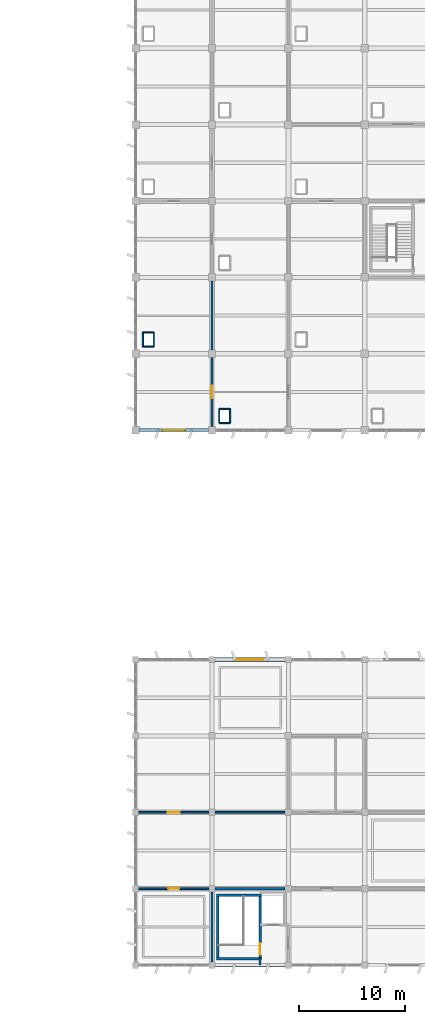
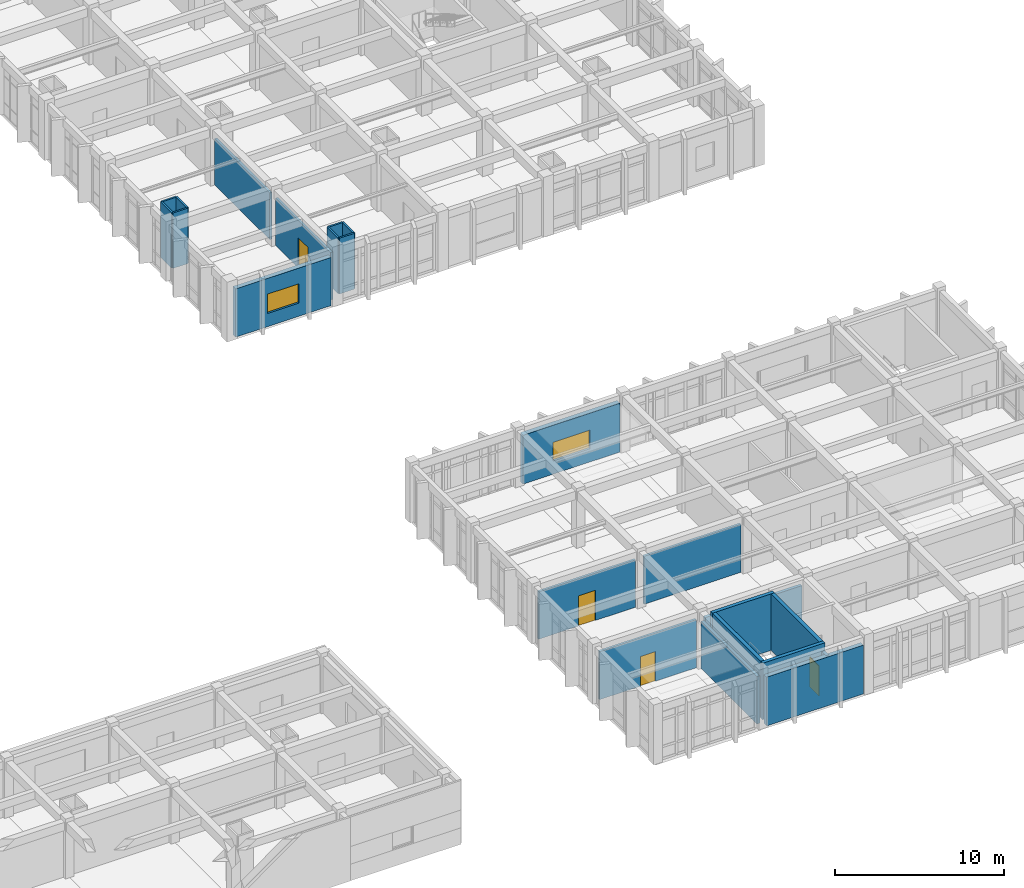
# One storey, part 53 of 70: 23 walls, 4 doors, 2 windows, 6 openings.
"""IFC4 building model written with IfcOpenShell, lengths in metres."""

from ifc_helpers import new_model, si_unit, direction, frame, frame_2d, origin, place, context, subcontext, project, spatial, rectangle, extrude, material, layer, layer_set, type_object, element, fill, save


model = new_model("IFC4")

# Units and contexts
model_context = context("Model", 3, precision=1e-05, world=origin(), true_north=direction((0.0, 1.0)))
body_context = subcontext(model_context, "Body", "Model", "MODEL_VIEW")
ifc_project = project(units=[si_unit("LENGTHUNIT", "METRE"), si_unit("AREAUNIT", "SQUARE_METRE"), si_unit("VOLUMEUNIT", "CUBIC_METRE"), si_unit("PLANEANGLEUNIT", "RADIAN"), si_unit("MASSUNIT", "GRAM", prefix="KILO")], contexts=[model_context])

# Site, building, storey
site_placement = place(None, origin())
site = spatial("IfcSite", under=ifc_project, at=site_placement, CompositionType="ELEMENT")
building_placement = place(site_placement, origin())
building = spatial("IfcBuilding", under=site, at=building_placement, Name="Kavelor Marine Aquarium", CompositionType="ELEMENT")
storey_placement = place(building_placement, frame((0.0, 0.0, 9.179931640625)))
storey = spatial("IfcBuildingStorey", under=building, at=storey_placement, Name="L02", CompositionType="ELEMENT", Elevation=9.179931640625)

# Wall, opening, window
ifc_material_1 = material(Name="Concrete C45/55", Category="concrete")
ifc_layer_1 = layer(ifc_material_1, 0.320068359375)
ifc_layer_set_1 = layer_set([ifc_layer_1], Name="WL-EX2")
wall_type_1 = type_object("IfcWallType", Name="WL-EX2", PredefinedType="STANDARD", material=ifc_layer_set_1)
wall_1_placement = place(storey_placement, frame((125.2548828125, 53.199951171875, 0.0), z_axis=(0.0, 0.0, 1.0), x_axis=(-1.0, 0.0, 0.0)))
wall_1 = element("IfcWall", 1, at=wall_1_placement, inside=storey, type_object=wall_type_1, Name="ew:x:L02:16_07", PredefinedType="STANDARD", context=body_context, shape_type="SweptSolid", body=[
    extrude(rectangle(XDim=6.509765625, YDim=0.320068359375, at=frame_2d((3.2548828125, 0.0))), origin(), (0.0, 0.0, 1.0), 3.47998046875),
])
opening_1_placement = place(wall_1_placement, frame((2.179931640625, 0.0, 0.949951171875)))
opening_1 = element("IfcOpeningElement", 2, at=opening_1_placement, cuts=wall_1, Name="Opening W30", PredefinedType="OPENING", context=body_context, shape_type="SweptSolid", body=[
    extrude(rectangle(XDim=2.14990234375, YDim=1.39990234375, at=frame_2d((1.074951171875, 0.699951171875))), frame((0.0, 0.169921875, 0.0), z_axis=(0.0, -1.0, 0.0), x_axis=(1.0, 0.0, 0.0)), (0.0, 0.0, 1.0), 0.340068),
])
ifc_material_2 = material(Name="Anodised Aluminium Frame with Low-E Double Glazing", Category="aluminium")
window_type_1 = type_object("IfcWindowType", Name="WIN-W30", PartitioningType="DOUBLE_PANEL_VERTICAL", PredefinedType="WINDOW", material=ifc_material_2)
window_1_placement = place(opening_1_placement, origin())
window_1 = element("IfcWindow", 3, at=window_1_placement, inside=storey, type_object=window_type_1, Name="win:x:L02:16_07", OverallHeight=1.39990234375, OverallWidth=2.14990234375, PartitioningType="SINGLE_PANEL", PredefinedType="WINDOW", context=body_context, shape_type="SweptSolid", body=[
    extrude(rectangle(XDim=2.14990234375, YDim=1.39990234375, at=frame_2d((1.074951171875, 0.699951171875))), frame((0.0, 0.030029296875, 0.0), z_axis=(0.0, -1.0, 0.0), x_axis=(1.0, 0.0, 0.0)), (0.0, 0.0, 1.0), 0.06005859375),
])
fill(opening_1, window_1)

# Wall
wall_2_placement = place(storey_placement, frame((132.5048828125, 2.800048828125, 0.0), z_axis=(0.0, 0.0, 1.0), x_axis=(-1.0, 0.0, 0.0)))
element("IfcWall", 4, at=wall_2_placement, inside=storey, type_object=wall_type_1, Name="ew:x:L02:17_00", PredefinedType="STANDARD", context=body_context, shape_type="SweptSolid", body=[
    extrude(rectangle(XDim=6.60986328125, YDim=0.320068359375, at=frame_2d((3.304931640625, 0.0))), origin(), (0.0, 0.0, 1.0), 3.52001953125),
])

# Wall, opening, window
ifc_material_3 = material(Name="Concrete C45/55", Category="concrete")
ifc_layer_2 = layer(ifc_material_3, 0.340087890625)
ifc_layer_set_2 = layer_set([ifc_layer_2], Name="WL-EX6")
wall_type_2 = type_object("IfcWallType", Name="WL-EX6", PredefinedType="STANDARD", material=ifc_layer_set_2)
wall_3_placement = place(storey_placement, frame((125.89501953125, 31.60009765625, 0.0), z_axis=(0.0, 0.0, 1.0), x_axis=(1.0, 0.0, 0.0)))
wall_3 = element("IfcWall", 5, at=wall_3_placement, inside=storey, type_object=wall_type_2, Name="ew:x:L02:17_04", PredefinedType="STANDARD", context=body_context, shape_type="SweptSolid", body=[
    extrude(rectangle(XDim=6.60986328125, YDim=0.340087890625, at=frame_2d((3.304931640625, 0.0))), origin(), (0.0, 0.0, 1.0), 3.52001953125),
])
opening_2_placement = place(wall_3_placement, frame((2.030029296875, 0.0, 0.949951171875)))
opening_2 = element("IfcOpeningElement", 6, at=opening_2_placement, cuts=wall_3, Name="Opening W32", PredefinedType="OPENING", context=body_context, shape_type="SweptSolid", body=[
    extrude(rectangle(XDim=2.550048828125, YDim=1.35009765625, at=frame_2d((1.27490234375, 0.675048828125))), frame((0.0, 0.179931640625, 0.0), z_axis=(0.0, -1.0, 0.0), x_axis=(1.0, 0.0, 0.0)), (0.0, 0.0, 1.0), 0.360088),
])
ifc_material_4 = material(Name="Anodised Aluminium Frame with Low-E Double Glazing", Category="aluminium")
window_type_2 = type_object("IfcWindowType", Name="WIN-W32", PartitioningType="DOUBLE_PANEL_VERTICAL", PredefinedType="WINDOW", material=ifc_material_4)
window_2_placement = place(opening_2_placement, origin())
window_2 = element("IfcWindow", 7, at=window_2_placement, inside=storey, type_object=window_type_2, Name="win:x:L02:17_04", OverallHeight=1.35009765625, OverallWidth=2.550048828125, PartitioningType="SINGLE_PANEL", PredefinedType="WINDOW", context=body_context, shape_type="SweptSolid", body=[
    extrude(rectangle(XDim=2.550048828125, YDim=1.35009765625, at=frame_2d((1.27490234375, 0.675048828125))), frame((0.0, 0.030029296875, 0.0), z_axis=(0.0, -1.0, 0.0), x_axis=(1.0, 0.0, 0.0)), (0.0, 0.0, 1.0), 0.06005859375),
])
fill(opening_2, window_2)

# Walls
ifc_material_5 = material(Name="Concrete Blockwork Partition", Category="masonry")
ifc_layer_3 = layer(ifc_material_5, 0.199951171875)
ifc_layer_set_3 = layer_set([ifc_layer_3], Name="WL-PT1")
wall_type_3 = type_object("IfcWallType", Name="WL-PT1", PredefinedType="PARTITIONING", material=ifc_layer_set_3)
wall_4_placement = place(storey_placement, frame((130.139892578125, 2.800048828125, 0.0), z_axis=(0.0, 0.0, 1.0), x_axis=(0.0, 1.0, 0.0)))
element("IfcWall", 8, at=wall_4_placement, inside=storey, type_object=wall_type_3, Name="pt:st_close:s:C08:L02", PredefinedType="PARTITIONING", context=body_context, shape_type="SweptSolid", body=[
    extrude(rectangle(XDim=0.619873046875, YDim=0.199951171875, at=frame_2d((0.31005859375, 0.0))), origin(), (0.0, 0.0, 1.0), 3.52001953125),
])
wall_5_placement = place(storey_placement, frame((125.60009765625, 3.10009765625, 0.0), z_axis=(0.0, 0.0, 1.0), x_axis=(0.0, 1.0, 0.0)))
element("IfcWall", 9, at=wall_5_placement, inside=storey, type_object=wall_type_3, Name="pt:lob:C08:L02:w", PredefinedType="PARTITIONING", context=body_context, shape_type="SweptSolid", body=[
    extrude(rectangle(XDim=6.599853515625, YDim=0.199951171875, at=frame_2d((3.2998046875, 0.0))), origin(), (0.0, 0.0, 1.0), 3.420166015625),
])
wall_6_placement = place(storey_placement, frame((125.89990234375, 10.0, 0.0), z_axis=(0.0, 0.0, 1.0), x_axis=(1.0, 0.0, 0.0)))
element("IfcWall", 10, at=wall_6_placement, inside=storey, type_object=wall_type_3, Name="pt:lob:C08:L02:n_full", PredefinedType="PARTITIONING", context=body_context, shape_type="SweptSolid", body=[
    extrude(rectangle(XDim=6.60009765625, YDim=0.199951171875, at=frame_2d((3.300048828125, 0.0))), origin(), (0.0, 0.0, 1.0), 3.420166015625),
])

# Wall, opening, door
ifc_material_6 = material(Name="Acoustic Gypsum Stud Partition")
ifc_layer_4 = layer(ifc_material_6, 0.159912109375)
ifc_layer_set_4 = layer_set([ifc_layer_4], Name="WL-PT2")
wall_type_4 = type_object("IfcWallType", Name="WL-PT2", PredefinedType="PARTITIONING", material=ifc_layer_set_4)
wall_7_placement = place(storey_placement, frame((118.699951171875, 10.0, 0.0), z_axis=(0.0, 0.0, 1.0), x_axis=(1.0, 0.0, 0.0)))
wall_7 = element("IfcWall", 11, at=wall_7_placement, inside=storey, type_object=wall_type_4, Name="pt:x:L02:16_00", PredefinedType="PARTITIONING", context=body_context, shape_type="SweptSolid", body=[
    extrude(rectangle(XDim=6.60009765625, YDim=0.159912109375, at=frame_2d((3.300048828125, 0.0))), origin(), (0.0, 0.0, 1.0), 3.469970703125),
])
opening_3_placement = place(wall_7_placement, frame((2.77490234375, 0.0, 0.0)))
opening_3 = element("IfcOpeningElement", 12, at=opening_3_placement, cuts=wall_7, Name="Opening D05", PredefinedType="OPENING", context=body_context, shape_type="SweptSolid", body=[
    extrude(rectangle(XDim=1.050048828125, YDim=2.139892578125, at=frame_2d((0.52490234375, 1.06982421875))), frame((0.0, 0.08984375, 0.0), z_axis=(0.0, -1.0, 0.0), x_axis=(1.0, 0.0, 0.0)), (0.0, 0.0, 1.0), 0.179912),
])
ifc_material_7 = material(Name="Classroom Vision-Panel Timber Door", Category="wood")
door_type_1 = type_object("IfcDoorType", Name="DR-D05", OperationType="NOTDEFINED", PredefinedType="DOOR", material=ifc_material_7)
door_1_placement = place(opening_3_placement, origin())
door_1 = element("IfcDoor", 13, at=door_1_placement, inside=storey, type_object=door_type_1, Name="dr:rm:pt:x:L02:16_00:0", OperationType="SINGLE_SWING_LEFT", OverallHeight=2.139892578125, OverallWidth=1.050048828125, PredefinedType="DOOR", context=body_context, shape_type="SweptSolid", body=[
    extrude(rectangle(XDim=1.050048828125, YDim=2.139892578125, at=frame_2d((0.52490234375, 1.06982421875))), frame((0.0, 0.02490234375, 0.0), z_axis=(0.0, -1.0, 0.0), x_axis=(1.0, 0.0, 0.0)), (0.0, 0.0, 1.0), 0.050048828125),
])
fill(opening_3, door_1)

wall_8_placement = place(storey_placement, frame((118.699951171875, 17.199951171875, 0.0), z_axis=(0.0, 0.0, 1.0), x_axis=(1.0, 0.0, 0.0)))
wall_8 = element("IfcWall", 14, at=wall_8_placement, inside=storey, type_object=wall_type_4, Name="pt:x:L02:16_01", PredefinedType="PARTITIONING", context=body_context, shape_type="SweptSolid", body=[
    extrude(rectangle(XDim=6.60009765625, YDim=0.159912109375, at=frame_2d((3.300048828125, 0.0))), origin(), (0.0, 0.0, 1.0), 3.420166015625),
])
opening_4_placement = place(wall_8_placement, frame((2.719970703125, 0.0, 0.0)))
opening_4 = element("IfcOpeningElement", 15, at=opening_4_placement, cuts=wall_8, Name="Opening D09", PredefinedType="OPENING", context=body_context, shape_type="SweptSolid", body=[
    extrude(rectangle(XDim=1.159912109375, YDim=2.179931640625, at=frame_2d((0.580078125, 1.08984375))), frame((0.0, 0.08984375, 0.0), z_axis=(0.0, -1.0, 0.0), x_axis=(1.0, 0.0, 0.0)), (0.0, 0.0, 1.0), 0.179912),
])
ifc_material_8 = material(Name="Husbandry Prep Marine Door")
door_type_2 = type_object("IfcDoorType", Name="DR-D09", OperationType="NOTDEFINED", PredefinedType="DOOR", material=ifc_material_8)
door_2_placement = place(opening_4_placement, origin())
door_2 = element("IfcDoor", 16, at=door_2_placement, inside=storey, type_object=door_type_2, Name="dr:rm:pt:x:L02:16_01:0", OperationType="SINGLE_SWING_RIGHT", OverallHeight=2.179931640625, OverallWidth=1.159912109375, PredefinedType="DOOR", context=body_context, shape_type="SweptSolid", body=[
    extrude(rectangle(XDim=1.159912109375, YDim=2.179931640625, at=frame_2d((0.580078125, 1.08984375))), frame((0.0, 0.02490234375, 0.0), z_axis=(0.0, -1.0, 0.0), x_axis=(1.0, 0.0, 0.0)), (0.0, 0.0, 1.0), 0.050048828125),
])
fill(opening_4, door_2)

wall_9_placement = place(storey_placement, frame((125.60009765625, 53.550048828125, 0.0), z_axis=(0.0, 0.0, 1.0), x_axis=(0.0, 1.0, 0.0)))
wall_9 = element("IfcWall", 17, at=wall_9_placement, inside=storey, type_object=wall_type_4, Name="pt:y:L02:16_07", PredefinedType="PARTITIONING", context=body_context, shape_type="SweptSolid", body=[
    extrude(rectangle(XDim=6.5, YDim=0.159912109375, at=frame_2d((3.25, 0.0))), origin(), (0.0, 0.0, 1.0), 3.43017578125),
])
opening_5_placement = place(wall_9_placement, frame((2.669921875, 0.0, 0.0)))
opening_5 = element("IfcOpeningElement", 18, at=opening_5_placement, cuts=wall_9, Name="Opening D09", PredefinedType="OPENING", context=body_context, shape_type="SweptSolid", body=[
    extrude(rectangle(XDim=1.159912109375, YDim=2.179931640625, at=frame_2d((0.580078125, 1.08984375))), frame((0.0, 0.08984375, 0.0), z_axis=(0.0, -1.0, 0.0), x_axis=(1.0, 0.0, 0.0)), (0.0, 0.0, 1.0), 0.179912),
])
door_3_placement = place(opening_5_placement, origin())
door_3 = element("IfcDoor", 19, at=door_3_placement, inside=storey, type_object=door_type_2, Name="dr:rm:pt:y:L02:16_07:0", OperationType="SINGLE_SWING_LEFT", OverallHeight=2.179931640625, OverallWidth=1.159912109375, PredefinedType="DOOR", context=body_context, shape_type="SweptSolid", body=[
    extrude(rectangle(XDim=1.159912109375, YDim=2.179931640625, at=frame_2d((0.580078125, 1.08984375))), frame((0.0, 0.02490234375, 0.0), z_axis=(0.0, -1.0, 0.0), x_axis=(1.0, 0.0, 0.0)), (0.0, 0.0, 1.0), 0.050048828125),
])
fill(opening_5, door_3)

# Walls
wall_10_placement = place(storey_placement, frame((125.60009765625, 60.75, 0.0), z_axis=(0.0, 0.0, 1.0), x_axis=(0.0, 1.0, 0.0)))
element("IfcWall", 20, at=wall_10_placement, inside=storey, type_object=wall_type_4, Name="pt:y:L02:16_08", PredefinedType="PARTITIONING", context=body_context, shape_type="SweptSolid", body=[
    extrude(rectangle(XDim=6.5, YDim=0.159912109375, at=frame_2d((3.25, 0.0))), origin(), (0.0, 0.0, 1.0), 3.360107421875),
])
wall_11_placement = place(storey_placement, frame((125.89990234375, 17.199951171875, 0.0), z_axis=(0.0, 0.0, 1.0), x_axis=(1.0, 0.0, 0.0)))
element("IfcWall", 21, at=wall_11_placement, inside=storey, type_object=wall_type_4, Name="pt:x:L02:17_01", PredefinedType="PARTITIONING", context=body_context, shape_type="SweptSolid", body=[
    extrude(rectangle(XDim=6.60009765625, YDim=0.159912109375, at=frame_2d((3.300048828125, 0.0))), origin(), (0.0, 0.0, 1.0), 3.469970703125),
])
ifc_material_9 = material(Name="Lightweight Drywall Partition")
ifc_layer_5 = layer(ifc_material_9, 0.1201171875)
ifc_layer_set_5 = layer_set([ifc_layer_5], Name="WL-PT4")
wall_type_5 = type_object("IfcWallType", Name="WL-PT4", PredefinedType="PARTITIONING", material=ifc_layer_set_5)
for number, where, z_axis, x_axis, name in (
    (22, (119.090087890625, 61.090087890625, 0.0), (0.0, 0.0, 1.0), (1.0, 0.0, 0.0), "riser:s:L02:16_08"),
    (23, (119.090087890625, 62.409912109375, 0.0), (0.0, 0.0, 1.0), (1.0, 0.0, 0.0), "riser:n:L02:16_08"),
):
    element("IfcWall", number, at=place(storey_placement, frame(where, z_axis=z_axis, x_axis=x_axis)), inside=storey, type_object=wall_type_5, Name=name, PredefinedType="PARTITIONING", context=body_context, shape_type="SweptSolid", body=[
        extrude(rectangle(XDim=1.02001953125, YDim=0.1201171875, at=frame_2d((0.510009765625, 0.0))), origin(), (0.0, 0.0, 1.0), 4.0),
    ])
for number, where, z_axis, x_axis, name in (
    (24, (119.090087890625, 61.090087890625, 0.0), (0.0, 0.0, 1.0), (0.0, 1.0, 0.0), "riser:w:L02:16_08"),
    (25, (120.110107421875, 61.090087890625, 0.0), (0.0, 0.0, 1.0), (0.0, 1.0, 0.0), "riser:e:L02:16_08"),
):
    element("IfcWall", number, at=place(storey_placement, frame(where, z_axis=z_axis, x_axis=x_axis)), inside=storey, type_object=wall_type_5, Name=name, PredefinedType="PARTITIONING", context=body_context, shape_type="SweptSolid", body=[
        extrude(rectangle(XDim=1.31982421875, YDim=0.1201171875, at=frame_2d((0.659912109375, 0.0))), origin(), (0.0, 0.0, 1.0), 4.0),
    ])
for number, where, z_axis, x_axis, name in (
    (26, (126.2900390625, 53.889892578125, 0.0), (0.0, 0.0, 1.0), (1.0, 0.0, 0.0), "riser:s:L02:17_07"),
    (27, (126.2900390625, 55.2099609375, 0.0), (0.0, 0.0, 1.0), (1.0, 0.0, 0.0), "riser:n:L02:17_07"),
):
    element("IfcWall", number, at=place(storey_placement, frame(where, z_axis=z_axis, x_axis=x_axis)), inside=storey, type_object=wall_type_5, Name=name, PredefinedType="PARTITIONING", context=body_context, shape_type="SweptSolid", body=[
        extrude(rectangle(XDim=1.02001953125, YDim=0.1201171875, at=frame_2d((0.510009765625, 0.0))), origin(), (0.0, 0.0, 1.0), 4.02001953125),
    ])
for number, where, z_axis, x_axis, name in (
    (28, (126.2900390625, 53.889892578125, 0.0), (0.0, 0.0, 1.0), (0.0, 1.0, 0.0), "riser:w:L02:17_07"),
    (29, (127.31005859375, 53.889892578125, 0.0), (0.0, 0.0, 1.0), (0.0, 1.0, 0.0), "riser:e:L02:17_07"),
):
    element("IfcWall", number, at=place(storey_placement, frame(where, z_axis=z_axis, x_axis=x_axis)), inside=storey, type_object=wall_type_5, Name=name, PredefinedType="PARTITIONING", context=body_context, shape_type="SweptSolid", body=[
        extrude(rectangle(XDim=1.320068359375, YDim=0.1201171875, at=frame_2d((0.66015625, 0.0))), origin(), (0.0, 0.0, 1.0), 4.02001953125),
    ])
ifc_material_10 = material(Name="Concrete C40/50", Category="concrete")
ifc_layer_6 = layer(ifc_material_10, 0.35009765625)
ifc_layer_set_6 = layer_set([ifc_layer_6], Name="WL-SW2")
wall_type_6 = type_object("IfcWallType", Name="WL-SW2", PredefinedType="SHEAR", material=ifc_layer_set_6)
for number, where, z_axis, x_axis, name in (
    (30, (126.02001953125, 3.419921875, 0.0), (0.0, 0.0, 1.0), (1.0, 0.0, 0.0), "cw_st:s:C08:L02"),
    (31, (126.02001953125, 9.3798828125, 0.0), (0.0, 0.0, 1.0), (1.0, 0.0, 0.0), "cw_st:n:C08:L02"),
):
    element("IfcWall", number, at=place(storey_placement, frame(where, z_axis=z_axis, x_axis=x_axis)), inside=storey, type_object=wall_type_6, Name=name, PredefinedType="SHEAR", context=body_context, shape_type="SweptSolid", body=[
        extrude(rectangle(XDim=4.239990234375, YDim=0.239990234375, at=frame_2d((2.1201171875, 0.0))), origin(), (0.0, 0.0, 1.0), 4.080078125),
    ])
wall_12_placement = place(storey_placement, frame((126.139892578125, 3.5400390625, 0.0), z_axis=(0.0, 0.0, 1.0), x_axis=(0.0, 1.0, 0.0)))
element("IfcWall", 32, at=wall_12_placement, inside=storey, type_object=wall_type_6, Name="cw_st:w:C08:L02", PredefinedType="SHEAR", context=body_context, shape_type="SweptSolid", body=[
    extrude(rectangle(XDim=5.719970703125, YDim=0.239990234375, at=frame_2d((2.85986328125, 0.0))), origin(), (0.0, 0.0, 1.0), 4.080078125),
])

# Wall, opening, door
wall_13_placement = place(storey_placement, frame((130.139892578125, 3.5400390625, 0.0), z_axis=(0.0, 0.0, 1.0), x_axis=(0.0, 1.0, 0.0)))
wall_13 = element("IfcWall", 33, at=wall_13_placement, inside=storey, type_object=wall_type_6, Name="cw_st:e:C08:L02", PredefinedType="SHEAR", context=body_context, shape_type="SweptSolid", body=[
    extrude(rectangle(XDim=5.719970703125, YDim=0.239990234375, at=frame_2d((2.85986328125, 0.0))), origin(), (0.0, 0.0, 1.0), 4.080078125),
])
opening_6_placement = place(wall_13_placement, frame((0.219970703125, 0.0, 0.0)))
opening_6 = element("IfcOpeningElement", 34, at=opening_6_placement, cuts=wall_13, Name="Opening FD1", PredefinedType="OPENING", context=body_context, shape_type="SweptSolid", body=[
    extrude(rectangle(XDim=1.1201171875, YDim=2.14990234375, at=frame_2d((0.56005859375, 1.074951171875))), frame((0.0, 0.1298828125, 0.0), z_axis=(0.0, -1.0, 0.0), x_axis=(1.0, 0.0, 0.0)), (0.0, 0.0, 1.0), 0.25999),
])
ifc_material_11 = material(Name="Fire-Rated Steel Stair and Core Door", Category="steel")
door_type_3 = type_object("IfcDoorType", Name="DR-FD1", OperationType="NOTDEFINED", PredefinedType="DOOR", material=ifc_material_11)
door_4_placement = place(opening_6_placement, origin())
door_4 = element("IfcDoor", 35, at=door_4_placement, inside=storey, type_object=door_type_3, Name="Stair Fire Door ST08-L02", OperationType="SINGLE_SWING_LEFT", OverallHeight=2.14990234375, OverallWidth=1.1201171875, PredefinedType="DOOR", context=body_context, shape_type="SweptSolid", body=[
    extrude(rectangle(XDim=1.1201171875, YDim=2.14990234375, at=frame_2d((0.56005859375, 1.074951171875))), frame((0.0, 0.02490234375, 0.0), z_axis=(0.0, -1.0, 0.0), x_axis=(1.0, 0.0, 0.0)), (0.0, 0.0, 1.0), 0.050048828125),
])
fill(opening_6, door_4)

save(model, "model.ifc")
